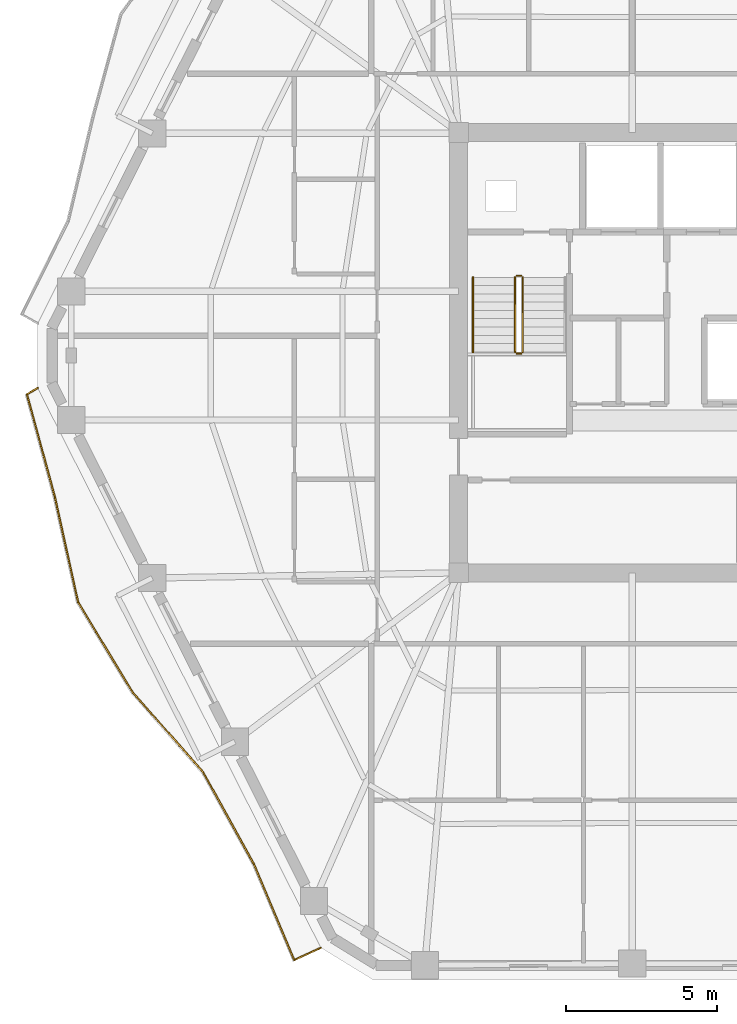
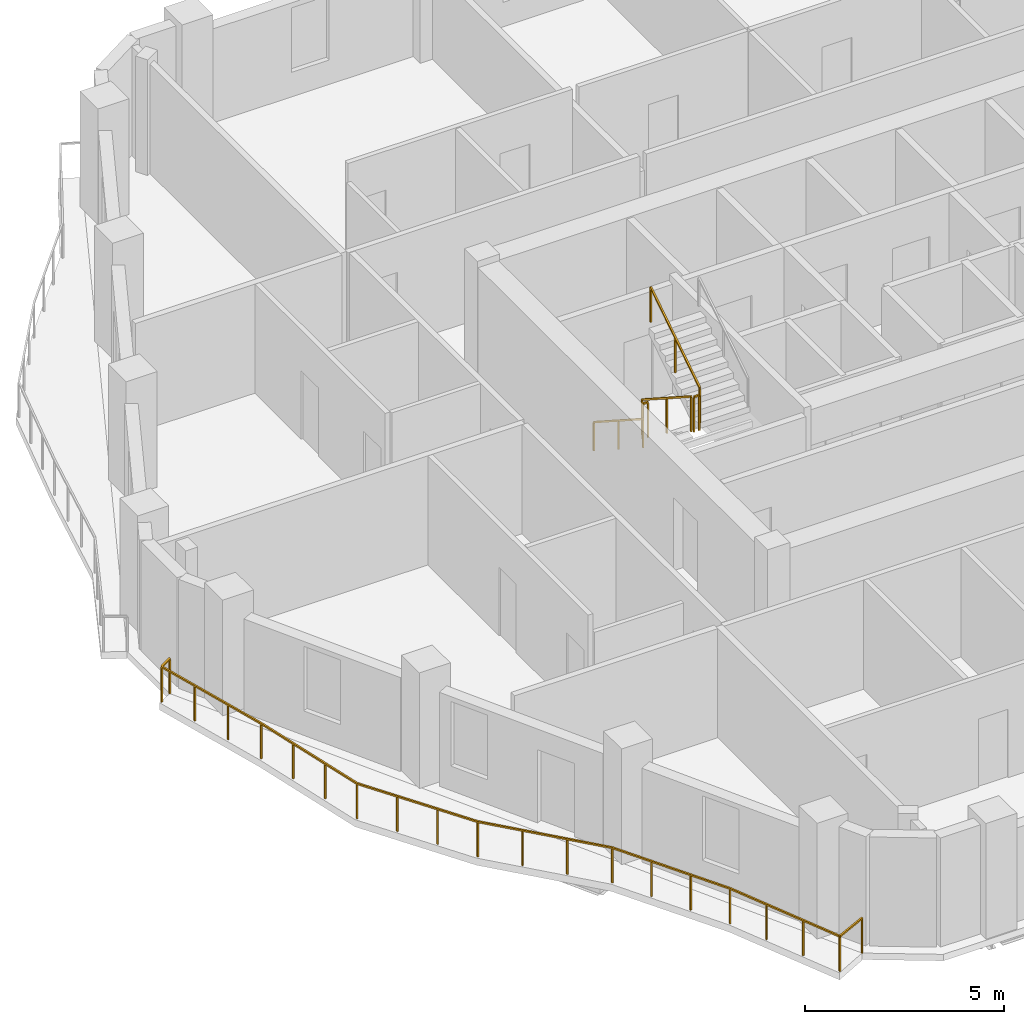
# One storey, part 9 of 12: 6 railings.
"""IFC4 building model written with IfcOpenShell, lengths in metres."""

from ifc_helpers import new_model, si_unit, direction, frame, origin, origin_2d, place, context, subcontext, project, spatial, rectangle, extrude, material, type_object, element, save


model = new_model("IFC4")

# Units and contexts
model_context = context("Model", 3, precision=1e-05, world=origin(), true_north=direction((0.0, 1.0)))
body_context = subcontext(model_context, "Body", "Model", "MODEL_VIEW")
ifc_project = project(units=[si_unit("LENGTHUNIT", "METRE"), si_unit("AREAUNIT", "SQUARE_METRE"), si_unit("VOLUMEUNIT", "CUBIC_METRE"), si_unit("PLANEANGLEUNIT", "RADIAN"), si_unit("MASSUNIT", "GRAM", prefix="KILO")], contexts=[model_context])

# Site, building, storey
site_placement = place(None, origin())
site = spatial("IfcSite", under=ifc_project, at=site_placement, CompositionType="ELEMENT")
building_placement = place(site_placement, origin())
building = spatial("IfcBuilding", under=site, at=building_placement, Name="Cinnabar Lancet Tower", CompositionType="ELEMENT")
storey_placement = place(building_placement, frame((0.0, 0.0, 193.199951171875)))
storey = spatial("IfcBuildingStorey", under=building, at=storey_placement, Name="L51", CompositionType="ELEMENT", Elevation=193.199951171875)

# Railings
ifc_material_1 = material(Name="Laminated safety glass and bronze stainless steel balustrade", Category="steel")
railing_type_1 = type_object("IfcRailingType", Name="ENV-RLG-BAL-1100", PredefinedType="BALUSTRADE", material=ifc_material_1)
railing_1_placement = place(storey_placement, frame((9.14208984375, 24.72900390625, 0.0)))
element("IfcRailing", 1, at=railing_1_placement, inside=storey, type_object=railing_type_1, Name="L51 Face 6 Wave Balcony Balustrade", PredefinedType="BALUSTRADE", context=body_context, shape_type="SweptSolid", body=[
    extrude(rectangle(XDim=0.048095703125, YDim=0.048095703125, at=origin_2d()), frame((0.0, 0.0, 1.076171875), z_axis=(-0.859676249341, -0.51083925683, 0.0), x_axis=(0.51083925683, -0.859676249341, 0.0)), (0.0, 0.0, 1.0), 0.412841796875),
    extrude(rectangle(XDim=0.048095703125, YDim=0.048095703125, at=origin_2d()), frame((-0.35498046875, -0.2109375, 1.076171875), z_axis=(0.262034387367, -0.965058537, 0.0), x_axis=(0.965058537, 0.262034387367, 0.0)), (0.0, 0.0, 1.0), 3.529296875),
    extrude(rectangle(XDim=0.048095703125, YDim=0.048095703125, at=origin_2d()), frame((0.56982421875, -3.616943359375, 1.076171875), z_axis=(0.215857841372, -0.976424801159, 0.0), x_axis=(0.976424801159, 0.215857841372, 0.0)), (0.0, 0.0, 1.0), 3.567138671875),
    extrude(rectangle(XDim=0.048095703125, YDim=0.048095703125, at=origin_2d()), frame((1.33984375, -7.10009765625, 1.076171875), z_axis=(0.517145748549, -0.855897350596, 0.0), x_axis=(0.855897350596, 0.517145748549, 0.0)), (0.0, 0.0, 1.0), 3.465087890625),
    extrude(rectangle(XDim=0.048095703125, YDim=0.048095703125, at=origin_2d()), frame((3.1318359375, -10.06591796875, 1.076171875), z_axis=(0.660700365224, -0.750649736823, 0.0), x_axis=(0.750649736823, 0.660700365224, 0.0)), (0.0, 0.0, 1.0), 3.569091796875),
    extrude(rectangle(XDim=0.048095703125, YDim=0.048095703125, at=origin_2d()), frame((5.489990234375, -12.7451171875, 1.076171875), z_axis=(0.483159456171, -0.875532375137, 0.0), x_axis=(0.875532375137, 0.483159456171, 0.0)), (0.0, 0.0, 1.0), 3.458251953125),
    extrude(rectangle(XDim=0.048095703125, YDim=0.048095703125, at=origin_2d()), frame((7.160888671875, -15.77294921875, 1.076171875), z_axis=(0.387638276712, -0.921811567745, 0.0), x_axis=(0.921811567745, 0.387638276712, 0.0)), (0.0, 0.0, 1.0), 3.467041015625),
    extrude(rectangle(XDim=0.048095703125, YDim=0.048095703125, at=origin_2d()), frame((8.5048828125, -18.968994140625, 1.076171875), z_axis=(0.906656456557, 0.421869730822, 0.0), x_axis=(-0.421869730822, 0.906656456557, 0.0)), (0.0, 0.0, 1.0), 0.973876953125),
    extrude(rectangle(XDim=0.0419921875, YDim=0.0419921875, at=origin_2d()), origin(), (0.0, 0.0, 1.0), 1.052001953125),
    extrude(rectangle(XDim=0.0419921875, YDim=0.0419921875, at=origin_2d()), frame((-0.35498046875, -0.2109375, 0.0)), (0.0, 0.0, 1.0), 1.052001953125),
    extrude(rectangle(XDim=0.0419921875, YDim=0.0419921875, at=origin_2d()), frame((-0.046630859375, -1.34619140625, 0.0)), (0.0, 0.0, 1.0), 1.052001953125),
    extrude(rectangle(XDim=0.0419921875, YDim=0.0419921875, at=origin_2d()), frame((0.261474609375, -2.481689453125, 0.0)), (0.0, 0.0, 1.0), 1.052001953125),
    extrude(rectangle(XDim=0.0419921875, YDim=0.0419921875, at=origin_2d()), frame((0.56982421875, -3.616943359375, 0.0)), (0.0, 0.0, 1.0), 1.052001953125),
    extrude(rectangle(XDim=0.0419921875, YDim=0.0419921875, at=origin_2d()), frame((0.826416015625, -4.778076171875, 0.0)), (0.0, 0.0, 1.0), 1.052001953125),
    extrude(rectangle(XDim=0.0419921875, YDim=0.0419921875, at=origin_2d()), frame((1.083251953125, -5.93896484375, 0.0)), (0.0, 0.0, 1.0), 1.052001953125),
    extrude(rectangle(XDim=0.0419921875, YDim=0.0419921875, at=origin_2d()), frame((1.33984375, -7.10009765625, 0.0)), (0.0, 0.0, 1.0), 1.052001953125),
    extrude(rectangle(XDim=0.0419921875, YDim=0.0419921875, at=origin_2d()), frame((1.937255859375, -8.088623046875, 0.0)), (0.0, 0.0, 1.0), 1.052001953125),
    extrude(rectangle(XDim=0.0419921875, YDim=0.0419921875, at=origin_2d()), frame((2.534423828125, -9.077392578125, 0.0)), (0.0, 0.0, 1.0), 1.052001953125),
    extrude(rectangle(XDim=0.0419921875, YDim=0.0419921875, at=origin_2d()), frame((3.1318359375, -10.06591796875, 0.0)), (0.0, 0.0, 1.0), 1.052001953125),
    extrude(rectangle(XDim=0.0419921875, YDim=0.0419921875, at=origin_2d()), frame((3.91796875, -10.958984375, 0.0)), (0.0, 0.0, 1.0), 1.052001953125),
    extrude(rectangle(XDim=0.0419921875, YDim=0.0419921875, at=origin_2d()), frame((4.703857421875, -11.85205078125, 0.0)), (0.0, 0.0, 1.0), 1.052001953125),
    extrude(rectangle(XDim=0.0419921875, YDim=0.0419921875, at=origin_2d()), frame((5.489990234375, -12.7451171875, 0.0)), (0.0, 0.0, 1.0), 1.052001953125),
    extrude(rectangle(XDim=0.0419921875, YDim=0.0419921875, at=origin_2d()), frame((6.046875, -13.75439453125, 0.0)), (0.0, 0.0, 1.0), 1.052001953125),
    extrude(rectangle(XDim=0.0419921875, YDim=0.0419921875, at=origin_2d()), frame((6.60400390625, -14.763671875, 0.0)), (0.0, 0.0, 1.0), 1.052001953125),
    extrude(rectangle(XDim=0.0419921875, YDim=0.0419921875, at=origin_2d()), frame((7.160888671875, -15.77294921875, 0.0)), (0.0, 0.0, 1.0), 1.052001953125),
    extrude(rectangle(XDim=0.0419921875, YDim=0.0419921875, at=origin_2d()), frame((7.60888671875, -16.83837890625, 0.0)), (0.0, 0.0, 1.0), 1.052001953125),
    extrude(rectangle(XDim=0.0419921875, YDim=0.0419921875, at=origin_2d()), frame((8.056884765625, -17.903564453125, 0.0)), (0.0, 0.0, 1.0), 1.052001953125),
    extrude(rectangle(XDim=0.0419921875, YDim=0.0419921875, at=origin_2d()), frame((8.5048828125, -18.968994140625, 0.0)), (0.0, 0.0, 1.0), 1.052001953125),
    extrude(rectangle(XDim=0.0419921875, YDim=0.0419921875, at=origin_2d()), frame((9.387939453125, -18.55810546875, 0.0)), (0.0, 0.0, 1.0), 1.052001953125),
])
ifc_material_2 = material(Name="Painted galvanized steel balustrade", Category="steel")
railing_type_2 = type_object("IfcRailingType", Name="GUARD-STAIR", PredefinedType="GUARDRAIL", material=ifc_material_2)
railing_2_placement = place(storey_placement, frame((24.97509765625, 28.39990234375, 0.177490234375)))
element("IfcRailing", 2, at=railing_2_placement, inside=storey, type_object=railing_type_2, Name="L51 ST-1 stair guard 1", PredefinedType="GUARDRAIL", context=body_context, shape_type="SweptSolid", body=[
    extrude(rectangle(XDim=0.048095703125, YDim=0.048095703125, at=origin_2d()), frame((0.0, 0.0, 1.076171875), z_axis=(0.0, -0.84014559416, 0.542360932049), x_axis=(1.0, 0.0, 0.0)), (0.0, 0.0, 1.0), 2.94580078125),
    extrude(rectangle(XDim=0.0419921875, YDim=0.0419921875, at=origin_2d()), origin(), (0.0, 0.0, 1.0), 1.052001953125),
    extrude(rectangle(XDim=0.0419921875, YDim=0.0419921875, at=origin_2d()), frame((0.0, -1.2373046875, 0.798828125)), (0.0, 0.0, 1.0), 1.052001953125),
    extrude(rectangle(XDim=0.0419921875, YDim=0.0419921875, at=origin_2d()), frame((0.0, -2.474853515625, 1.59765625)), (0.0, 0.0, 1.0), 1.052001953125),
])
railing_3_placement = place(storey_placement, frame((25.02490234375, 25.875, 1.775146484375)))
element("IfcRailing", 3, at=railing_3_placement, inside=storey, type_object=railing_type_2, Name="L51 ST-1 stair guard 2", PredefinedType="GUARDRAIL", context=body_context, shape_type="SweptSolid", body=[
    extrude(rectangle(XDim=0.048095703125, YDim=0.048095703125, at=origin_2d()), frame((0.0, 0.0, 1.076171875), z_axis=(1.0, 0.0, 0.0), x_axis=(0.0, 1.0, 0.0)), (0.0, 0.0, 1.0), 0.150146484375),
    extrude(rectangle(XDim=0.0419921875, YDim=0.0419921875, at=origin_2d()), origin(), (0.0, 0.0, 1.0), 1.052001953125),
    extrude(rectangle(XDim=0.0419921875, YDim=0.0419921875, at=origin_2d()), frame((0.150146484375, 0.0, 0.0)), (0.0, 0.0, 1.0), 1.052001953125),
])
railing_4_placement = place(storey_placement, frame((25.22509765625, 25.925048828125, 1.95263671875)))
element("IfcRailing", 4, at=railing_4_placement, inside=storey, type_object=railing_type_2, Name="L51 ST-1 stair guard 3", PredefinedType="GUARDRAIL", context=body_context, shape_type="SweptSolid", body=[
    extrude(rectangle(XDim=0.048095703125, YDim=0.048095703125, at=origin_2d()), frame((0.0, 0.0, 1.076171875), z_axis=(0.0, 0.840183358697, 0.542302428327), x_axis=(-1.0, 0.0, 0.0)), (0.0, 0.0, 1.0), 2.945556640625),
    extrude(rectangle(XDim=0.0419921875, YDim=0.0419921875, at=origin_2d()), origin(), (0.0, 0.0, 1.0), 1.052001953125),
    extrude(rectangle(XDim=0.0419921875, YDim=0.0419921875, at=origin_2d()), frame((0.0, 1.2373046875, 0.798828125)), (0.0, 0.0, 1.0), 1.052001953125),
    extrude(rectangle(XDim=0.0419921875, YDim=0.0419921875, at=origin_2d()), frame((0.0, 2.474853515625, 1.597412109375)), (0.0, 0.0, 1.0), 1.052001953125),
])
railing_5_placement = place(storey_placement, frame((25.02490234375, 28.449951171875, 0.0)))
element("IfcRailing", 5, at=railing_5_placement, inside=storey, type_object=railing_type_2, Name="L51 ST-1 stair guard 4", PredefinedType="GUARDRAIL", context=body_context, shape_type="SweptSolid", body=[
    extrude(rectangle(XDim=0.048095703125, YDim=0.048095703125, at=origin_2d()), frame((0.0, 0.0, 1.076171875), z_axis=(1.0, 0.0, 0.0), x_axis=(0.0, 1.0, 0.0)), (0.0, 0.0, 1.0), 0.150146484375),
    extrude(rectangle(XDim=0.0419921875, YDim=0.0419921875, at=origin_2d()), origin(), (0.0, 0.0, 1.0), 1.052001953125),
    extrude(rectangle(XDim=0.0419921875, YDim=0.0419921875, at=origin_2d()), frame((0.150146484375, 0.0, 0.0)), (0.0, 0.0, 1.0), 1.052001953125),
])
ifc_material_3 = material(Name="Brushed stainless steel handrail", Category="steel")
railing_type_3 = type_object("IfcRailingType", Name="HANDRAIL-STAIR", PredefinedType="HANDRAIL", material=ifc_material_3)
railing_6_placement = place(storey_placement, frame((23.574951171875, 28.39990234375, 0.177490234375)))
element("IfcRailing", 6, at=railing_6_placement, inside=storey, type_object=railing_type_3, Name="L51 ST-1 stair handrail 1", PredefinedType="HANDRAIL", context=body_context, shape_type="SweptSolid", body=[
    extrude(rectangle(XDim=0.048095703125, YDim=0.048095703125, at=origin_2d()), frame((0.0, 0.0, 0.8759765625), z_axis=(0.0, -0.84014559416, 0.542360932049), x_axis=(1.0, 0.0, 0.0)), (0.0, 0.0, 1.0), 2.94580078125),
    extrude(rectangle(XDim=0.0419921875, YDim=0.0419921875, at=origin_2d()), origin(), (0.0, 0.0, 1.0), 0.851806640625),
    extrude(rectangle(XDim=0.0419921875, YDim=0.0419921875, at=origin_2d()), frame((0.0, -1.2373046875, 0.798828125)), (0.0, 0.0, 1.0), 0.851806640625),
    extrude(rectangle(XDim=0.0419921875, YDim=0.0419921875, at=origin_2d()), frame((0.0, -2.474853515625, 1.59765625)), (0.0, 0.0, 1.0), 0.851806640625),
])

save(model, "model.ifc")
